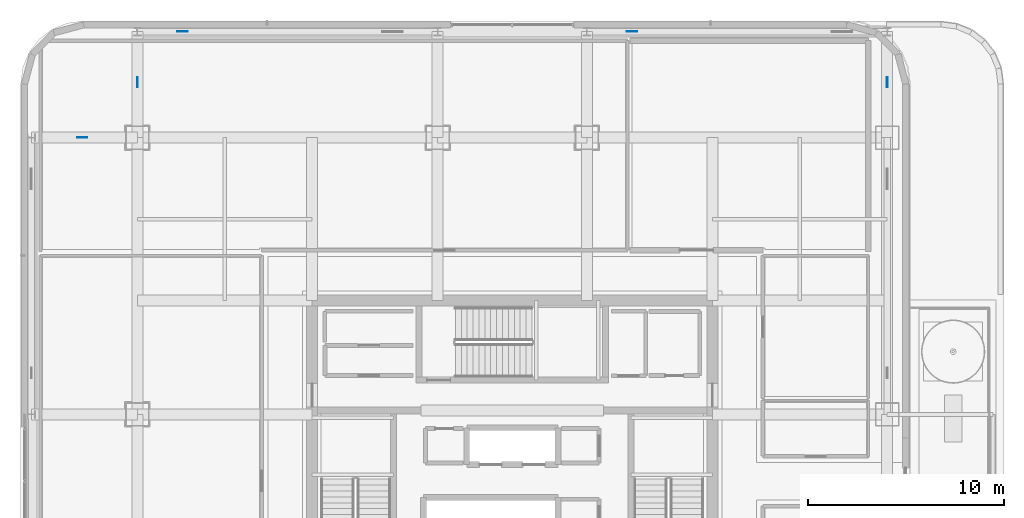
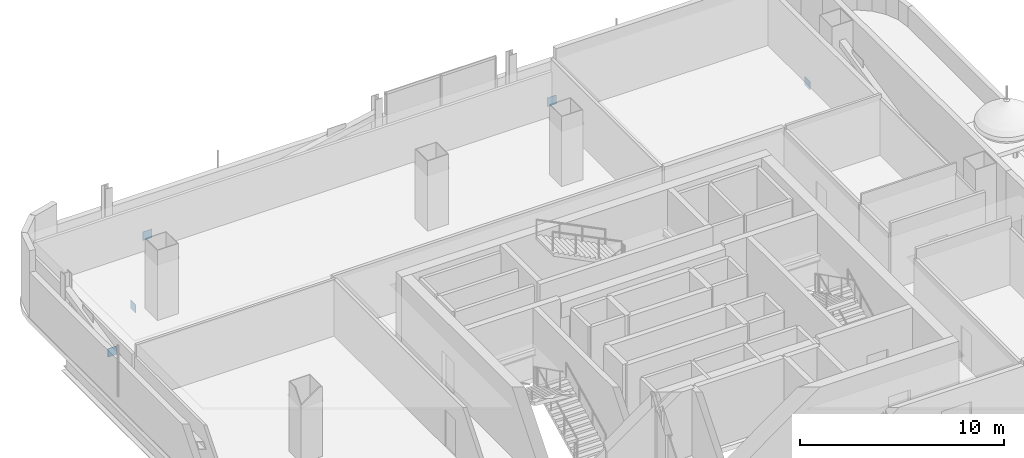
# One storey, part 11 of 31: 5 plates.
"""IFC4 building model written with IfcOpenShell, lengths in metres."""

from ifc_helpers import new_model, si_unit, direction, frame, origin, origin_2d, place, context, subcontext, project, spatial, rectangle, extrude, material, layer, layer_set, type_object, element, save


model = new_model("IFC4")

# Units and contexts
model_context = context("Model", 3, precision=1e-05, world=origin(), true_north=direction((0.0, 1.0)))
body_context = subcontext(model_context, "Body", "Model", "MODEL_VIEW")
ifc_project = project(units=[si_unit("LENGTHUNIT", "METRE"), si_unit("AREAUNIT", "SQUARE_METRE"), si_unit("VOLUMEUNIT", "CUBIC_METRE"), si_unit("PLANEANGLEUNIT", "RADIAN"), si_unit("MASSUNIT", "GRAM", prefix="KILO")], contexts=[model_context])

# Site, building, storey
site_placement = place(None, origin())
site = spatial("IfcSite", under=ifc_project, at=site_placement, CompositionType="ELEMENT")
building_placement = place(site_placement, origin())
building = spatial("IfcBuilding", under=site, at=building_placement, Name="Punatoya Terracotta Tower", CompositionType="ELEMENT")
storey_placement = place(building_placement, frame((0.0, 0.0, 283.800048828125)))
storey = spatial("IfcBuildingStorey", under=building, at=storey_placement, Name="L67", CompositionType="ELEMENT", Elevation=283.800048828125)

# Plates
ifc_material = material(Name="Steel S460", Category="steel")
ifc_layer = layer(ifc_material, 0.031982421875)
ifc_layer_set = layer_set([ifc_layer], Name="Steel S460")
plate_type = type_object("IfcPlateType", Name="PLT-END-32", PredefinedType="USERDEFINED", material=ifc_layer_set)
for number, where, z_axis, x_axis, name in (
    (1, (-16.804931640625, 22.89990234375, 0.237060546875), (0.0, 0.0, 1.0), (1.0, 0.0, 0.0), "L67 Exoskeleton Base Node Plate N1"),
    (2, (6.094970703125, 22.89990234375, 0.237060546875), (0.0, 0.0, 1.0), (1.0, 0.0, 0.0), "L67 Exoskeleton Base Node Plate N3"),
):
    element("IfcPlate", number, at=place(storey_placement, frame(where, z_axis=z_axis, x_axis=x_axis)), inside=storey, type_object=plate_type, Name=name, ObjectType="FLANGE_PLATE", PredefinedType="USERDEFINED", context=body_context, shape_type="SweptSolid", body=[
        extrude(rectangle(XDim=0.52001953125, YDim=0.031982421875, at=origin_2d()), origin(), (0.0, 0.0, 1.0), 0.52001953125),
    ])
for number, where, z_axis, x_axis, name in (
    (3, (-21.916015625, 17.5, -1.68408203125), (0.0, 0.0, 1.0), (1.0, 0.0, 0.0), "L67 Knee-Strut Upper End Cap Plate W2"),
    (4, (-19.10009765625, 20.31591796875, -1.68408203125), (0.0, 0.0, 1.0), (0.0, 1.0, 0.0), "L67 Knee-Strut Upper End Cap Plate N1"),
    (5, (19.10009765625, 20.31591796875, -1.68408203125), (0.0, 0.0, 1.0), (0.0, 1.0, 0.0), "L67 Knee-Strut Upper End Cap Plate N2"),
):
    element("IfcPlate", number, at=place(storey_placement, frame(where, z_axis=z_axis, x_axis=x_axis)), inside=storey, type_object=plate_type, Name=name, ObjectType="FLANGE_PLATE", PredefinedType="USERDEFINED", context=body_context, shape_type="SweptSolid", body=[
        extrude(rectangle(XDim=0.5, YDim=0.031982421875, at=origin_2d()), origin(), (0.0, 0.0, 1.0), 0.5),
    ])

save(model, "model.ifc")
